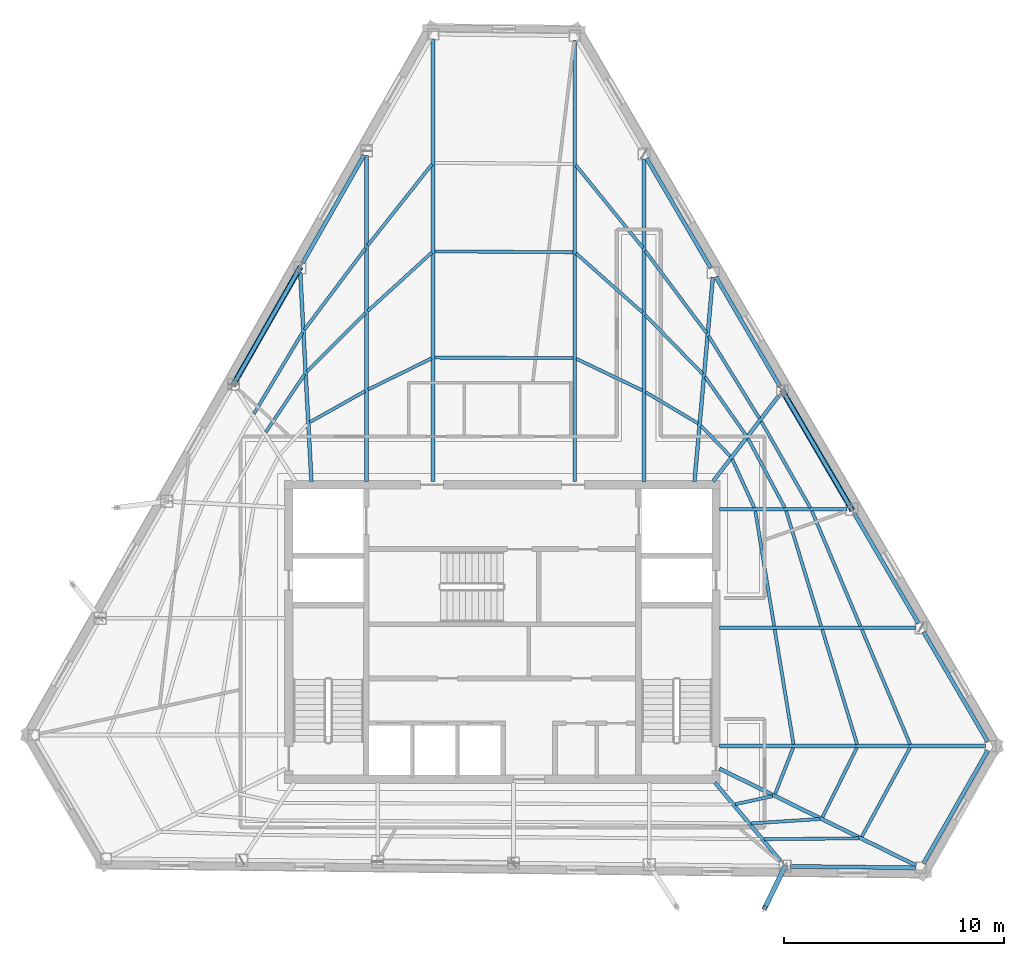
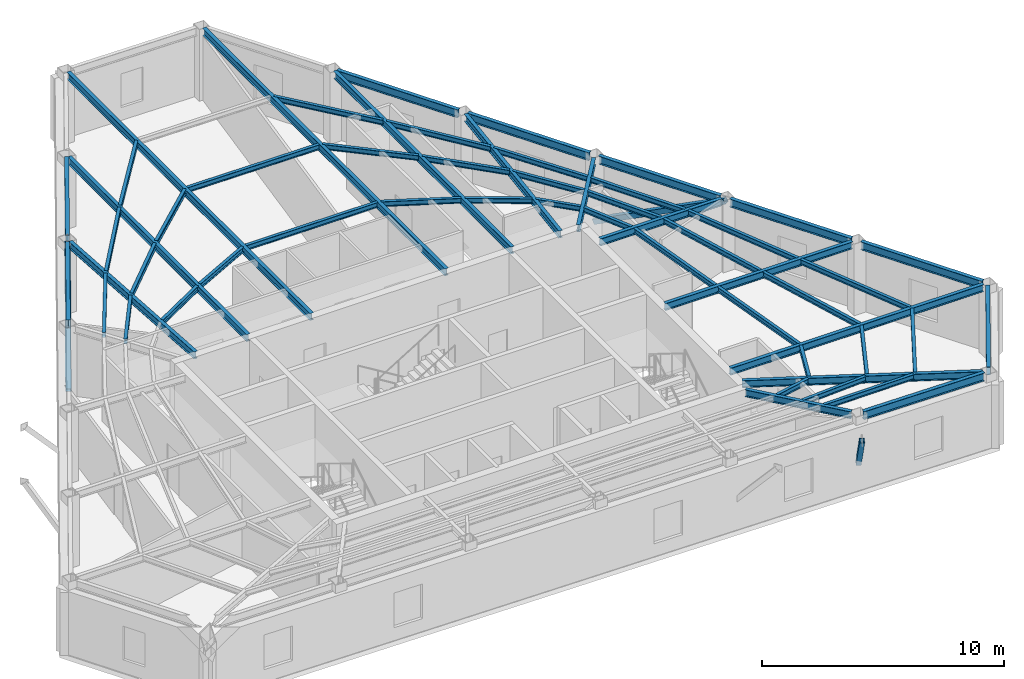
# One storey, part 2 of 11: 55 beams, 3 members.
"""IFC4 building model written with IfcOpenShell, lengths in metres."""

from ifc_helpers import new_model, si_unit, direction, frame, origin, origin_2d, place, context, subcontext, project, spatial, hollow_rectangle, i_section, extrude, material, material_profile, profile_set, type_object, element, save


model = new_model("IFC4")

# Units and contexts
model_context = context("Model", 3, precision=1e-05, world=origin(), true_north=direction((0.0, 1.0)))
body_context = subcontext(model_context, "Body", "Model", "MODEL_VIEW")
ifc_project = project(units=[si_unit("LENGTHUNIT", "METRE"), si_unit("AREAUNIT", "SQUARE_METRE"), si_unit("VOLUMEUNIT", "CUBIC_METRE"), si_unit("PLANEANGLEUNIT", "RADIAN"), si_unit("MASSUNIT", "GRAM", prefix="KILO")], contexts=[model_context])

# Site, building, storey
site_placement = place(None, origin())
site = spatial("IfcSite", under=ifc_project, at=site_placement, CompositionType="ELEMENT")
building_placement = place(site_placement, origin())
building = spatial("IfcBuilding", under=site, at=building_placement, Name="Kavelnor Concourse Tower", CompositionType="ELEMENT")
storey_placement = place(building_placement, frame((0.0, 0.0, 258.75)))
storey = spatial("IfcBuildingStorey", under=building, at=storey_placement, Name="L65", CompositionType="ELEMENT", Elevation=258.75)

# Beams
ifc_material = material(Name="Steel Grade 350", Category="steel")
ifc_material_profile_1 = material_profile(ifc_material, i_section(OverallWidth=0.14599609375, OverallDepth=0.256103515625, WebThickness=0.00634765625, FlangeThickness=0.010986328125, at=origin_2d()), Name="250UB37")
ifc_profile_set_1 = profile_set([ifc_material_profile_1], Name="Steel Grade 350")
beam_type_1 = type_object("IfcBeamType", Name="BM-JOIST-250", PredefinedType="JOIST", material=ifc_profile_set_1)
beam_1_placement = place(storey_placement, frame((48.584228515625, 8.26708984375, 3.48193359375), z_axis=(0.977091565739, 0.212819341606, 0.0), x_axis=(-0.212819341606, 0.977091565739, 0.0)))
element("IfcBeam", 1, at=beam_1_placement, inside=storey, type_object=beam_type_1, Name="L65 Secondary Composite Joist 07-1", PredefinedType="JOIST", context=body_context, shape_type="SweptSolid", body=[
    extrude(i_section(OverallWidth=0.14599609375, OverallDepth=0.256103515625, WebThickness=0.00634765625, FlangeThickness=0.010986328125, at=origin_2d()), origin(), (0.0, 0.0, 1.0), 1.74267578125),
])
beam_2_placement = place(storey_placement, frame((49.30419921875, 7.396728515625, 3.48193359375), z_axis=(0.998010196757, 0.063052733243, 0.0), x_axis=(-0.063052733243, 0.998010196757, 0.0)))
element("IfcBeam", 2, at=beam_2_placement, inside=storey, type_object=beam_type_1, Name="L65 Secondary Composite Joist 07-2", PredefinedType="JOIST", context=body_context, shape_type="SweptSolid", body=[
    extrude(i_section(OverallWidth=0.14599609375, OverallDepth=0.256103515625, WebThickness=0.00634765625, FlangeThickness=0.010986328125, at=origin_2d()), origin(), (0.0, 0.0, 1.0), 3.132568359375),
])
beam_3_placement = place(storey_placement, frame((49.903076171875, 6.67724609375, 3.48193359375), z_axis=(0.999954281384, 0.009562172441, 0.0), x_axis=(-0.009562172441, 0.999954281384, 0.0)))
element("IfcBeam", 3, at=beam_3_placement, inside=storey, type_object=beam_type_1, Name="L65 Secondary Composite Joist 07-3", PredefinedType="JOIST", context=body_context, shape_type="SweptSolid", body=[
    extrude(i_section(OverallWidth=0.14599609375, OverallDepth=0.256103515625, WebThickness=0.00634765625, FlangeThickness=0.010986328125, at=origin_2d()), origin(), (0.0, 0.0, 1.0), 4.31494140625),
])
beam_4_placement = place(storey_placement, frame((50.396728515625, 8.731689453125, 3.48193359375), z_axis=(0.363938496644, 0.931422981604, 0.0), x_axis=(-0.931422981604, 0.363938496644, 0.0)))
element("IfcBeam", 4, at=beam_4_placement, inside=storey, type_object=beam_type_1, Name="L65 Secondary Composite Joist 08-1", PredefinedType="JOIST", context=body_context, shape_type="SweptSolid", body=[
    extrude(i_section(OverallWidth=0.14599609375, OverallDepth=0.256103515625, WebThickness=0.00634765625, FlangeThickness=0.010986328125, at=origin_2d()), origin(), (0.0, 0.0, 1.0), 2.25732421875),
])
beam_5_placement = place(storey_placement, frame((52.548583984375, 7.6728515625, 3.48193359375), z_axis=(0.443753156488, 0.89614905909, 0.0), x_axis=(-0.89614905909, 0.443753156488, 0.0)))
element("IfcBeam", 5, at=beam_5_placement, inside=storey, type_object=beam_type_1, Name="L65 Secondary Composite Joist 08-2", PredefinedType="JOIST", context=body_context, shape_type="SweptSolid", body=[
    extrude(i_section(OverallWidth=0.14599609375, OverallDepth=0.256103515625, WebThickness=0.00634765625, FlangeThickness=0.010986328125, at=origin_2d()), origin(), (0.0, 0.0, 1.0), 3.531005859375),
])
beam_6_placement = place(storey_placement, frame((54.3388671875, 6.79150390625, 3.48193359375), z_axis=(0.476624814067, 0.879106811836, 0.0), x_axis=(-0.879106811836, 0.476624814067, 0.0)))
element("IfcBeam", 6, at=beam_6_placement, inside=storey, type_object=beam_type_1, Name="L65 Secondary Composite Joist 08-3", PredefinedType="JOIST", context=body_context, shape_type="SweptSolid", body=[
    extrude(i_section(OverallWidth=0.14599609375, OverallDepth=0.256103515625, WebThickness=0.00634765625, FlangeThickness=0.010986328125, at=origin_2d()), origin(), (0.0, 0.0, 1.0), 4.603515625),
])
beam_7_placement = place(storey_placement, frame((51.23486328125, 10.991455078125, 3.48193359375), z_axis=(-0.161600481046, 0.986856263356, 0.0), x_axis=(-0.986856263356, -0.161600481046, 0.0)))
element("IfcBeam", 7, at=beam_7_placement, inside=storey, type_object=beam_type_1, Name="L65 Secondary Composite Joist 09-1", PredefinedType="JOIST", context=body_context, shape_type="SweptSolid", body=[
    extrude(i_section(OverallWidth=0.14599609375, OverallDepth=0.256103515625, WebThickness=0.00634765625, FlangeThickness=0.010986328125, at=origin_2d()), origin(), (0.0, 0.0, 1.0), 5.292236328125),
])
beam_8_placement = place(storey_placement, frame((54.128173828125, 10.989013671875, 3.48193359375), z_axis=(-0.290941123025, 0.956740959159, 0.0), x_axis=(-0.956740959159, -0.290941123025, 0.0)))
element("IfcBeam", 8, at=beam_8_placement, inside=storey, type_object=beam_type_1, Name="L65 Secondary Composite Joist 09-2", PredefinedType="JOIST", context=body_context, shape_type="SweptSolid", body=[
    extrude(i_section(OverallWidth=0.14599609375, OverallDepth=0.256103515625, WebThickness=0.00634765625, FlangeThickness=0.010986328125, at=origin_2d()), origin(), (0.0, 0.0, 1.0), 5.463623046875),
])
beam_9_placement = place(storey_placement, frame((56.540283203125, 10.986083984375, 3.48193359375), z_axis=(-0.388047388956, 0.921639421859, 0.0), x_axis=(-0.921639421859, -0.388047388956, 0.0)))
element("IfcBeam", 9, at=beam_9_placement, inside=storey, type_object=beam_type_1, Name="L65 Secondary Composite Joist 09-3", PredefinedType="JOIST", context=body_context, shape_type="SweptSolid", body=[
    extrude(i_section(OverallWidth=0.14599609375, OverallDepth=0.256103515625, WebThickness=0.00634765625, FlangeThickness=0.010986328125, at=origin_2d()), origin(), (0.0, 0.0, 1.0), 5.677978515625),
])
beam_10_placement = place(storey_placement, frame((50.353271484375, 16.375732421875, 3.48193359375), z_axis=(-0.161607838348, 0.986855058549, 0.0), x_axis=(-0.986855058549, -0.161607838348, 0.0)))
element("IfcBeam", 10, at=beam_10_placement, inside=storey, type_object=beam_type_1, Name="L65 Secondary Composite Joist 10-1", PredefinedType="JOIST", context=body_context, shape_type="SweptSolid", body=[
    extrude(i_section(OverallWidth=0.14599609375, OverallDepth=0.256103515625, WebThickness=0.00634765625, FlangeThickness=0.010986328125, at=origin_2d()), origin(), (0.0, 0.0, 1.0), 5.2919921875),
])
beam_11_placement = place(storey_placement, frame((52.490966796875, 16.373291015625, 3.48193359375), z_axis=(-0.290941123025, 0.956740959159, 0.0), x_axis=(-0.956740959159, -0.290941123025, 0.0)))
element("IfcBeam", 11, at=beam_11_placement, inside=storey, type_object=beam_type_1, Name="L65 Secondary Composite Joist 10-2", PredefinedType="JOIST", context=body_context, shape_type="SweptSolid", body=[
    extrude(i_section(OverallWidth=0.14599609375, OverallDepth=0.256103515625, WebThickness=0.00634765625, FlangeThickness=0.010986328125, at=origin_2d()), origin(), (0.0, 0.0, 1.0), 5.463623046875),
])
beam_12_placement = place(storey_placement, frame((54.273193359375, 16.37060546875, 3.48193359375), z_axis=(-0.388062766928, 0.921632946961, 0.0), x_axis=(-0.921632946961, -0.388062766928, 0.0)))
element("IfcBeam", 12, at=beam_12_placement, inside=storey, type_object=beam_type_1, Name="L65 Secondary Composite Joist 10-3", PredefinedType="JOIST", context=body_context, shape_type="SweptSolid", body=[
    extrude(i_section(OverallWidth=0.14599609375, OverallDepth=0.256103515625, WebThickness=0.00634765625, FlangeThickness=0.010986328125, at=origin_2d()), origin(), (0.0, 0.0, 1.0), 5.677978515625),
])
beam_13_placement = place(storey_placement, frame((49.450927734375, 21.753662109375, 3.48193359375), z_axis=(-0.414106199902, 0.910228573053, 0.0), x_axis=(-0.910228573053, -0.414106199902, 0.0)))
element("IfcBeam", 13, at=beam_13_placement, inside=storey, type_object=beam_type_1, Name="L65 Secondary Composite Joist 11-1", PredefinedType="JOIST", context=body_context, shape_type="SweptSolid", body=[
    extrude(i_section(OverallWidth=0.14599609375, OverallDepth=0.256103515625, WebThickness=0.00634765625, FlangeThickness=0.010986328125, at=origin_2d()), origin(), (0.0, 0.0, 1.0), 2.426025390625),
])
beam_14_placement = place(storey_placement, frame((50.839111328125, 21.75146484375, 3.48193359375), z_axis=(-0.469495907621, 0.88293464805, 0.0), x_axis=(-0.88293464805, -0.469495907621, 0.0)))
element("IfcBeam", 14, at=beam_14_placement, inside=storey, type_object=beam_type_1, Name="L65 Secondary Composite Joist 11-2", PredefinedType="JOIST", context=body_context, shape_type="SweptSolid", body=[
    extrude(i_section(OverallWidth=0.14599609375, OverallDepth=0.256103515625, WebThickness=0.00634765625, FlangeThickness=0.010986328125, at=origin_2d()), origin(), (0.0, 0.0, 1.0), 3.5625),
])
beam_15_placement = place(storey_placement, frame((51.99755859375, 21.75048828125, 3.48193359375), z_axis=(-0.494455232513, 0.869203096543, 0.0), x_axis=(-0.869203096543, -0.494455232513, 0.0)))
element("IfcBeam", 15, at=beam_15_placement, inside=storey, type_object=beam_type_1, Name="L65 Secondary Composite Joist 11-3", PredefinedType="JOIST", context=body_context, shape_type="SweptSolid", body=[
    extrude(i_section(OverallWidth=0.14599609375, OverallDepth=0.256103515625, WebThickness=0.00634765625, FlangeThickness=0.010986328125, at=origin_2d()), origin(), (0.0, 0.0, 1.0), 4.515380859375),
])
beam_16_placement = place(storey_placement, frame((48.355712890625, 24.095703125, 3.48193359375), z_axis=(-0.693458712292, 0.720496366643, 0.0), x_axis=(-0.720496366643, -0.693458712292, 0.0)))
element("IfcBeam", 16, at=beam_16_placement, inside=storey, type_object=beam_type_1, Name="L65 Secondary Composite Joist 12-1", PredefinedType="JOIST", context=body_context, shape_type="SweptSolid", body=[
    extrude(i_section(OverallWidth=0.14599609375, OverallDepth=0.256103515625, WebThickness=0.00634765625, FlangeThickness=0.010986328125, at=origin_2d()), origin(), (0.0, 0.0, 1.0), 1.92333984375),
])
beam_17_placement = place(storey_placement, frame((49.0810546875, 25.03662109375, 3.48193359375), z_axis=(-0.573950476696, 0.818890011113, 0.0), x_axis=(-0.818890011113, -0.573950476696, 0.0)))
element("IfcBeam", 17, at=beam_17_placement, inside=storey, type_object=beam_type_1, Name="L65 Secondary Composite Joist 12-2", PredefinedType="JOIST", context=body_context, shape_type="SweptSolid", body=[
    extrude(i_section(OverallWidth=0.14599609375, OverallDepth=0.256103515625, WebThickness=0.00634765625, FlangeThickness=0.010986328125, at=origin_2d()), origin(), (0.0, 0.0, 1.0), 3.25537109375),
])
beam_18_placement = place(storey_placement, frame((49.681396484375, 25.81640625, 3.48193359375), z_axis=(-0.524745132544, 0.851259388125, 0.0), x_axis=(-0.851259388125, -0.524745132544, 0.0)))
element("IfcBeam", 18, at=beam_18_placement, inside=storey, type_object=beam_type_1, Name="L65 Secondary Composite Joist 12-3", PredefinedType="JOIST", context=body_context, shape_type="SweptSolid", body=[
    extrude(i_section(OverallWidth=0.14599609375, OverallDepth=0.256103515625, WebThickness=0.00634765625, FlangeThickness=0.010986328125, at=origin_2d()), origin(), (0.0, 0.0, 1.0), 4.394287109375),
])
beam_19_placement = place(storey_placement, frame((46.894775390625, 25.58251953125, 3.48193359375), z_axis=(-0.85885408237, 0.512220328761, 0.0), x_axis=(-0.512220328761, -0.85885408237, 0.0)))
element("IfcBeam", 19, at=beam_19_placement, inside=storey, type_object=beam_type_1, Name="L65 Secondary Composite Joist 13-1", PredefinedType="JOIST", context=body_context, shape_type="SweptSolid", body=[
    extrude(i_section(OverallWidth=0.14599609375, OverallDepth=0.256103515625, WebThickness=0.00634765625, FlangeThickness=0.010986328125, at=origin_2d()), origin(), (0.0, 0.0, 1.0), 2.779296875),
])
beam_20_placement = place(storey_placement, frame((47.1083984375, 27.828369140625, 3.48193359375), z_axis=(-0.697954751692, 0.71614186066, 0.0), x_axis=(-0.71614186066, -0.697954751692, 0.0)))
element("IfcBeam", 20, at=beam_20_placement, inside=storey, type_object=beam_type_1, Name="L65 Secondary Composite Joist 13-2", PredefinedType="JOIST", context=body_context, shape_type="SweptSolid", body=[
    extrude(i_section(OverallWidth=0.14599609375, OverallDepth=0.256103515625, WebThickness=0.00634765625, FlangeThickness=0.010986328125, at=origin_2d()), origin(), (0.0, 0.0, 1.0), 3.745361328125),
])
beam_21_placement = place(storey_placement, frame((47.283203125, 29.692626953125, 3.48193359375), z_axis=(-0.598335731467, 0.801245500736, 0.0), x_axis=(-0.801245500736, -0.598335731467, 0.0)))
element("IfcBeam", 21, at=beam_21_placement, inside=storey, type_object=beam_type_1, Name="L65 Secondary Composite Joist 13-3", PredefinedType="JOIST", context=body_context, shape_type="SweptSolid", body=[
    extrude(i_section(OverallWidth=0.14599609375, OverallDepth=0.256103515625, WebThickness=0.00634765625, FlangeThickness=0.010986328125, at=origin_2d()), origin(), (0.0, 0.0, 1.0), 4.67431640625),
])
beam_22_placement = place(storey_placement, frame((44.36328125, 27.08349609375, 3.48193359375), z_axis=(-0.901929200126, 0.431883917229, 0.0), x_axis=(-0.431883917229, -0.901929200126, 0.0)))
element("IfcBeam", 22, at=beam_22_placement, inside=storey, type_object=beam_type_1, Name="L65 Secondary Composite Joist 14-1", PredefinedType="JOIST", context=body_context, shape_type="SweptSolid", body=[
    extrude(i_section(OverallWidth=0.14599609375, OverallDepth=0.256103515625, WebThickness=0.00634765625, FlangeThickness=0.010986328125, at=origin_2d()), origin(), (0.0, 0.0, 1.0), 3.32666015625),
])
beam_23_placement = place(storey_placement, frame((44.3759765625, 30.623779296875, 3.48193359375), z_axis=(-0.747256282488, 0.664535964627, 0.0), x_axis=(-0.664535964627, -0.747256282488, 0.0)))
element("IfcBeam", 23, at=beam_23_placement, inside=storey, type_object=beam_type_1, Name="L65 Secondary Composite Joist 14-2", PredefinedType="JOIST", context=body_context, shape_type="SweptSolid", body=[
    extrude(i_section(OverallWidth=0.14599609375, OverallDepth=0.256103515625, WebThickness=0.00634765625, FlangeThickness=0.010986328125, at=origin_2d()), origin(), (0.0, 0.0, 1.0), 4.04931640625),
])
beam_24_placement = place(storey_placement, frame((44.385498046875, 33.5673828125, 3.48193359375), z_axis=(-0.630423247611, 0.776251588644, 0.0), x_axis=(-0.776251588644, -0.630423247611, 0.0)))
element("IfcBeam", 24, at=beam_24_placement, inside=storey, type_object=beam_type_1, Name="L65 Secondary Composite Joist 14-3", PredefinedType="JOIST", context=body_context, shape_type="SweptSolid", body=[
    extrude(i_section(OverallWidth=0.14599609375, OverallDepth=0.256103515625, WebThickness=0.00634765625, FlangeThickness=0.010986328125, at=origin_2d()), origin(), (0.0, 0.0, 1.0), 4.830078125),
])
for number, where, z_axis, x_axis, name in (
    (25, (41.206787109375, 28.555908203125, 3.48193359375), (-0.999995038677, 0.003150019372, 0.0), (-0.003150019372, -0.999995038677, 0.0), "L65 Secondary Composite Joist 15-1"),
    (26, (41.206787109375, 33.36962890625, 3.48193359375), (-0.999982986167, 0.0058332989, 0.0), (-0.0058332989, -0.999982986167, 0.0), "L65 Secondary Composite Joist 15-2"),
):
    element("IfcBeam", number, at=place(storey_placement, frame(where, z_axis=z_axis, x_axis=x_axis)), inside=storey, type_object=beam_type_1, Name=name, PredefinedType="JOIST", context=body_context, shape_type="SweptSolid", body=[
        extrude(i_section(OverallWidth=0.14599609375, OverallDepth=0.256103515625, WebThickness=0.00634765625, FlangeThickness=0.010986328125, at=origin_2d()), origin(), (0.0, 0.0, 1.0), 6.27783203125),
    ])
beam_25_placement = place(storey_placement, frame((34.773193359375, 28.539794921875, 3.48193359375), z_axis=(-0.897495151022, -0.44102432347, 0.0), x_axis=(0.44102432347, -0.897495151022, 0.0)))
element("IfcBeam", 27, at=beam_25_placement, inside=storey, type_object=beam_type_1, Name="L65 Secondary Composite Joist 16-1", PredefinedType="JOIST", context=body_context, shape_type="SweptSolid", body=[
    extrude(i_section(OverallWidth=0.14599609375, OverallDepth=0.256103515625, WebThickness=0.00634765625, FlangeThickness=0.010986328125, at=origin_2d()), origin(), (0.0, 0.0, 1.0), 3.20849609375),
])
beam_26_placement = place(storey_placement, frame((34.786376953125, 33.351318359375, 3.48193359375), z_axis=(-0.738672230038, -0.674064786627, 0.0), x_axis=(0.674064786627, -0.738672230038, 0.0)))
element("IfcBeam", 28, at=beam_26_placement, inside=storey, type_object=beam_type_1, Name="L65 Secondary Composite Joist 16-2", PredefinedType="JOIST", context=body_context, shape_type="SweptSolid", body=[
    extrude(i_section(OverallWidth=0.14599609375, OverallDepth=0.256103515625, WebThickness=0.00634765625, FlangeThickness=0.010986328125, at=origin_2d()), origin(), (0.0, 0.0, 1.0), 3.933837890625),
])
beam_27_placement = place(storey_placement, frame((34.7958984375, 37.367919921875, 3.48193359375), z_axis=(-0.62059945225, -0.78412774461, 0.0), x_axis=(0.78412774461, -0.62059945225, 0.0)))
element("IfcBeam", 29, at=beam_27_placement, inside=storey, type_object=beam_type_1, Name="L65 Secondary Composite Joist 16-3", PredefinedType="JOIST", context=body_context, shape_type="SweptSolid", body=[
    extrude(i_section(OverallWidth=0.14599609375, OverallDepth=0.256103515625, WebThickness=0.00634765625, FlangeThickness=0.010986328125, at=origin_2d()), origin(), (0.0, 0.0, 1.0), 4.71337890625),
])
beam_28_placement = place(storey_placement, frame((31.748291015625, 27.04833984375, 3.48193359375), z_axis=(-0.871936062537, -0.489619753327, 0.0), x_axis=(0.489619753327, -0.871936062537, 0.0)))
element("IfcBeam", 30, at=beam_28_placement, inside=storey, type_object=beam_type_1, Name="L65 Secondary Composite Joist 17-1", PredefinedType="JOIST", context=body_context, shape_type="SweptSolid", body=[
    extrude(i_section(OverallWidth=0.14599609375, OverallDepth=0.256103515625, WebThickness=0.00634765625, FlangeThickness=0.010986328125, at=origin_2d()), origin(), (0.0, 0.0, 1.0), 2.87353515625),
])
beam_29_placement = place(storey_placement, frame((31.76171875, 30.58642578125, 3.48193359375), z_axis=(-0.708245673026, -0.705966052045, 0.0), x_axis=(0.705966052045, -0.708245673026, 0.0)))
element("IfcBeam", 31, at=beam_29_placement, inside=storey, type_object=beam_type_1, Name="L65 Secondary Composite Joist 17-2", PredefinedType="JOIST", context=body_context, shape_type="SweptSolid", body=[
    extrude(i_section(OverallWidth=0.14599609375, OverallDepth=0.256103515625, WebThickness=0.00634765625, FlangeThickness=0.010986328125, at=origin_2d()), origin(), (0.0, 0.0, 1.0), 3.748291015625),
])
beam_30_placement = place(storey_placement, frame((31.770751953125, 33.5419921875, 3.48193359375), z_axis=(-0.600583300443, -0.799562192221, 0.0), x_axis=(0.799562192221, -0.600583300443, 0.0)))
element("IfcBeam", 32, at=beam_30_placement, inside=storey, type_object=beam_type_1, Name="L65 Secondary Composite Joist 17-3", PredefinedType="JOIST", context=body_context, shape_type="SweptSolid", body=[
    extrude(i_section(OverallWidth=0.14599609375, OverallDepth=0.256103515625, WebThickness=0.00634765625, FlangeThickness=0.010986328125, at=origin_2d()), origin(), (0.0, 0.0, 1.0), 4.61962890625),
])
beam_31_placement = place(storey_placement, frame((29.003173828125, 27.814208984375, 3.48193359375), z_axis=(-0.557581580535, -0.83012214827, 0.0), x_axis=(0.83012214827, -0.557581580535, 0.0)))
element("IfcBeam", 33, at=beam_31_placement, inside=storey, type_object=beam_type_1, Name="L65 Secondary Composite Joist 18-2", PredefinedType="JOIST", context=body_context, shape_type="SweptSolid", body=[
    extrude(i_section(OverallWidth=0.14599609375, OverallDepth=0.256103515625, WebThickness=0.00634765625, FlangeThickness=0.010986328125, at=origin_2d()), origin(), (0.0, 0.0, 1.0), 3.1640625),
])
beam_32_placement = place(storey_placement, frame((28.905029296875, 29.712646484375, 3.48193359375), z_axis=(-0.513132667829, -0.858309306257, 0.0), x_axis=(0.858309306257, -0.513132667829, 0.0)))
element("IfcBeam", 34, at=beam_32_placement, inside=storey, type_object=beam_type_1, Name="L65 Secondary Composite Joist 18-3", PredefinedType="JOIST", context=body_context, shape_type="SweptSolid", body=[
    extrude(i_section(OverallWidth=0.14599609375, OverallDepth=0.256103515625, WebThickness=0.00634765625, FlangeThickness=0.010986328125, at=origin_2d()), origin(), (0.0, 0.0, 1.0), 4.29541015625),
])
ifc_material_profile_2 = material_profile(ifc_material, i_section(OverallWidth=0.172119140625, OverallDepth=0.35888671875, WebThickness=0.008056640625, FlangeThickness=0.012939453125, at=origin_2d()), Name="360UB56")
ifc_profile_set_2 = profile_set([ifc_material_profile_2], Name="Steel Grade 350")
beam_type_2 = type_object("IfcBeamType", Name="BM-PRIMARY-360", PredefinedType="BEAM", material=ifc_profile_set_2)
beam_33_placement = place(storey_placement, frame((34.846923828125, 22.93994140625, 3.430419921875), z_axis=(0.0, 1.0, 0.0), x_axis=(-1.0, 0.0, 0.0)))
element("IfcBeam", 35, at=beam_33_placement, inside=storey, type_object=beam_type_2, Name="L65 Primary Floor Girder F0-B0", PredefinedType="BEAM", context=body_context, shape_type="SweptSolid", body=[
    extrude(i_section(OverallWidth=0.172119140625, OverallDepth=0.35888671875, WebThickness=0.008056640625, FlangeThickness=0.012939453125, at=origin_2d()), origin(), (0.0, 0.0, 1.0), 20.128173828125),
])
beam_34_placement = place(storey_placement, frame((31.81982421875, 22.93994140625, 3.430419921875), z_axis=(0.0, 1.0, 0.0), x_axis=(-1.0, 0.0, 0.0)))
element("IfcBeam", 36, at=beam_34_placement, inside=storey, type_object=beam_type_2, Name="L65 Primary Floor Girder F0-B1", PredefinedType="BEAM", context=body_context, shape_type="SweptSolid", body=[
    extrude(i_section(OverallWidth=0.172119140625, OverallDepth=0.35888671875, WebThickness=0.008056640625, FlangeThickness=0.012939453125, at=origin_2d()), origin(), (0.0, 0.0, 1.0), 14.816162109375),
])
beam_35_placement = place(storey_placement, frame((29.313720703125, 22.940185546875, 3.430419921875), z_axis=(-0.05348375925, 0.998568719466, 0.0), x_axis=(-0.998568719466, -0.05348375925, 0.0)))
element("IfcBeam", 37, at=beam_35_placement, inside=storey, type_object=beam_type_2, Name="L65 Primary Floor Girder F0-B2", PredefinedType="BEAM", context=body_context, shape_type="SweptSolid", body=[
    extrude(i_section(OverallWidth=0.172119140625, OverallDepth=0.35888671875, WebThickness=0.008056640625, FlangeThickness=0.012939453125, at=origin_2d()), origin(), (0.0, 0.0, 1.0), 9.517578125),
])
beam_36_placement = place(storey_placement, frame((47.666015625, 9.250732421875, 3.430419921875), z_axis=(0.641908021477, -0.766781645557, 0.0), x_axis=(0.766781645557, 0.641908021477, 0.0)))
element("IfcBeam", 38, at=beam_36_placement, inside=storey, type_object=beam_type_2, Name="L65 Primary Floor Girder F1-B5", PredefinedType="BEAM", context=body_context, shape_type="SweptSolid", body=[
    extrude(i_section(OverallWidth=0.172119140625, OverallDepth=0.35888671875, WebThickness=0.008056640625, FlangeThickness=0.012939453125, at=origin_2d()), origin(), (0.0, 0.0, 1.0), 4.662841796875),
])
beam_37_placement = place(storey_placement, frame((47.864013671875, 9.887451171875, 3.430419921875), z_axis=(0.897183971648, -0.441657017399, 0.0), x_axis=(0.441657017399, 0.897183971648, 0.0)))
element("IfcBeam", 39, at=beam_37_placement, inside=storey, type_object=beam_type_2, Name="L65 Primary Floor Girder F1-B6", PredefinedType="BEAM", context=body_context, shape_type="SweptSolid", body=[
    extrude(i_section(OverallWidth=0.172119140625, OverallDepth=0.35888671875, WebThickness=0.008056640625, FlangeThickness=0.012939453125, at=origin_2d()), origin(), (0.0, 0.0, 1.0), 9.962890625),
])
beam_38_placement = place(storey_placement, frame((47.860107421875, 10.91064453125, 3.430419921875), z_axis=(1.0, 0.0, 0.0), x_axis=(0.0, 1.0, 0.0)))
element("IfcBeam", 40, at=beam_38_placement, inside=storey, type_object=beam_type_2, Name="L65 Primary Floor Girder F2-B0", PredefinedType="BEAM", context=body_context, shape_type="SweptSolid", body=[
    extrude(i_section(OverallWidth=0.172119140625, OverallDepth=0.35888671875, WebThickness=0.008056640625, FlangeThickness=0.012939453125, at=origin_2d()), origin(), (0.0, 0.0, 1.0), 12.099853515625),
])
beam_39_placement = place(storey_placement, frame((47.860107421875, 16.294921875, 3.430419921875), z_axis=(1.0, 0.0, 0.0), x_axis=(0.0, 1.0, 0.0)))
element("IfcBeam", 41, at=beam_39_placement, inside=storey, type_object=beam_type_2, Name="L65 Primary Floor Girder F2-B1", PredefinedType="BEAM", context=body_context, shape_type="SweptSolid", body=[
    extrude(i_section(OverallWidth=0.172119140625, OverallDepth=0.35888671875, WebThickness=0.008056640625, FlangeThickness=0.012939453125, at=origin_2d()), origin(), (0.0, 0.0, 1.0), 8.951416015625),
])
beam_40_placement = place(storey_placement, frame((47.860107421875, 21.67919921875, 3.430419921875), z_axis=(1.0, 0.0, 0.0), x_axis=(0.0, 1.0, 0.0)))
element("IfcBeam", 42, at=beam_40_placement, inside=storey, type_object=beam_type_2, Name="L65 Primary Floor Girder F2-B2", PredefinedType="BEAM", context=body_context, shape_type="SweptSolid", body=[
    extrude(i_section(OverallWidth=0.172119140625, OverallDepth=0.35888671875, WebThickness=0.008056640625, FlangeThickness=0.012939453125, at=origin_2d()), origin(), (0.0, 0.0, 1.0), 5.802734375),
])
beam_41_placement = place(storey_placement, frame((47.57763671875, 22.9482421875, 3.430419921875), z_axis=(0.608672161295, 0.793421829839, 0.0), x_axis=(-0.793421829839, 0.608672161295, 0.0)))
element("IfcBeam", 43, at=beam_41_placement, inside=storey, type_object=beam_type_2, Name="L65 Primary Floor Girder F2-B3", PredefinedType="BEAM", context=body_context, shape_type="SweptSolid", body=[
    extrude(i_section(OverallWidth=0.172119140625, OverallDepth=0.35888671875, WebThickness=0.008056640625, FlangeThickness=0.012939453125, at=origin_2d()), origin(), (0.0, 0.0, 1.0), 4.898681640625),
])
beam_42_placement = place(storey_placement, frame((46.7314453125, 22.940185546875, 3.430419921875), z_axis=(0.089518226726, 0.995985184169, 0.0), x_axis=(-0.995985184169, 0.089518226726, 0.0)))
element("IfcBeam", 44, at=beam_42_placement, inside=storey, type_object=beam_type_2, Name="L65 Primary Floor Girder F2-B4", PredefinedType="BEAM", context=body_context, shape_type="SweptSolid", body=[
    extrude(i_section(OverallWidth=0.172119140625, OverallDepth=0.35888671875, WebThickness=0.008056640625, FlangeThickness=0.012939453125, at=origin_2d()), origin(), (0.0, 0.0, 1.0), 9.324462890625),
])
beam_43_placement = place(storey_placement, frame((44.437255859375, 22.93994140625, 3.430419921875), z_axis=(0.0, 1.0, 0.0), x_axis=(-1.0, 0.0, 0.0)))
element("IfcBeam", 45, at=beam_43_placement, inside=storey, type_object=beam_type_2, Name="L65 Primary Floor Girder F2-B5", PredefinedType="BEAM", context=body_context, shape_type="SweptSolid", body=[
    extrude(i_section(OverallWidth=0.172119140625, OverallDepth=0.35888671875, WebThickness=0.008056640625, FlangeThickness=0.012939453125, at=origin_2d()), origin(), (0.0, 0.0, 1.0), 14.671875),
])
beam_44_placement = place(storey_placement, frame((41.288818359375, 22.93994140625, 3.430419921875), z_axis=(0.0, 1.0, 0.0), x_axis=(-1.0, 0.0, 0.0)))
element("IfcBeam", 46, at=beam_44_placement, inside=storey, type_object=beam_type_2, Name="L65 Primary Floor Girder F2-B6", PredefinedType="BEAM", context=body_context, shape_type="SweptSolid", body=[
    extrude(i_section(OverallWidth=0.172119140625, OverallDepth=0.35888671875, WebThickness=0.008056640625, FlangeThickness=0.012939453125, at=origin_2d()), origin(), (0.0, 0.0, 1.0), 20.05615234375),
])
ifc_material_profile_3 = material_profile(ifc_material, i_section(OverallWidth=0.177978515625, OverallDepth=0.406005859375, WebThickness=0.0078125, FlangeThickness=0.0126953125, at=origin_2d()), Name="410UB59")
ifc_profile_set_3 = profile_set([ifc_material_profile_3], Name="Steel Grade 350")
beam_type_3 = type_object("IfcBeamType", Name="BM-SPANDREL-Z4", PredefinedType="SPANDREL", material=ifc_profile_set_3)
for number, where, z_axis, x_axis, name in (
    (47, (31.70849609375, 37.78076171875, 3.406982421875), (-0.495089497601, -0.868841981816, 0.0), (0.868841981816, -0.495089497601, 0.0), "L65 Perimeter Tube Spandrel Beam F0-B1"),
    (48, (28.681396484375, 32.46875, 3.406982421875), (-0.495089497601, -0.868841981816, 0.0), (0.868841981816, -0.495089497601, 0.0), "L65 Perimeter Tube Spandrel Beam F0-B2"),
):
    element("IfcBeam", number, at=place(storey_placement, frame(where, z_axis=z_axis, x_axis=x_axis)), inside=storey, type_object=beam_type_3, Name=name, PredefinedType="SPANDREL", context=body_context, shape_type="SweptSolid", body=[
        extrude(i_section(OverallWidth=0.177978515625, OverallDepth=0.406005859375, WebThickness=0.0078125, FlangeThickness=0.0126953125, at=origin_2d()), origin(), (0.0, 0.0, 1.0), 5.6640625),
    ])
beam_45_placement = place(storey_placement, frame((51.076171875, 5.443603515625, 3.406982421875), z_axis=(0.999937124599, -0.011213690251, 0.0), x_axis=(0.011213690251, 0.999937124599, 0.0)))
element("IfcBeam", 49, at=beam_45_placement, inside=storey, type_object=beam_type_3, Name="L65 Perimeter Tube Spandrel Beam F1-B5", PredefinedType="SPANDREL", context=body_context, shape_type="SweptSolid", body=[
    extrude(i_section(OverallWidth=0.177978515625, OverallDepth=0.406005859375, WebThickness=0.0078125, FlangeThickness=0.0126953125, at=origin_2d()), origin(), (0.0, 0.0, 1.0), 5.725830078125),
])
for number, where, z_axis, x_axis, name in (
    (50, (60.06640625, 11.104736328125, 3.406982421875), (-0.504791388124, 0.863241365133, 0.0), (-0.863241365133, -0.504791388124, 0.0), "L65 Perimeter Tube Spandrel Beam F2-B0"),
    (51, (56.91796875, 16.489013671875, 3.406982421875), (-0.504791388124, 0.863241365133, 0.0), (-0.863241365133, -0.504791388124, 0.0), "L65 Perimeter Tube Spandrel Beam F2-B1"),
    (52, (53.769287109375, 21.873291015625, 3.406982421875), (-0.504791388124, 0.863241365133, 0.0), (-0.863241365133, -0.504791388124, 0.0), "L65 Perimeter Tube Spandrel Beam F2-B2"),
    (53, (50.620849609375, 27.257568359375, 3.406982421875), (-0.504791388124, 0.863241365133, 0.0), (-0.863241365133, -0.504791388124, 0.0), "L65 Perimeter Tube Spandrel Beam F2-B3"),
    (54, (47.472412109375, 32.641845703125, 3.406982421875), (-0.50482282313, 0.863222982344, 0.0), (-0.863222982344, -0.50482282313, 0.0), "L65 Perimeter Tube Spandrel Beam F2-B4"),
):
    element("IfcBeam", number, at=place(storey_placement, frame(where, z_axis=z_axis, x_axis=x_axis)), inside=storey, type_object=beam_type_3, Name=name, PredefinedType="SPANDREL", context=body_context, shape_type="SweptSolid", body=[
        extrude(i_section(OverallWidth=0.177978515625, OverallDepth=0.406005859375, WebThickness=0.0078125, FlangeThickness=0.0126953125, at=origin_2d()), origin(), (0.0, 0.0, 1.0), 5.787353515625),
    ])
beam_46_placement = place(storey_placement, frame((57.13818359375, 5.572509765625, 3.406982421875), z_axis=(0.495094698717, 0.86883901806, 0.0), x_axis=(-0.86883901806, 0.495094698717, 0.0)))
element("IfcBeam", 55, at=beam_46_placement, inside=storey, type_object=beam_type_3, Name="L65 Chamfer Facet Spandrel Beam C2", PredefinedType="SPANDREL", context=body_context, shape_type="SweptSolid", body=[
    extrude(i_section(OverallWidth=0.177978515625, OverallDepth=0.406005859375, WebThickness=0.0078125, FlangeThickness=0.0126953125, at=origin_2d()), origin(), (0.0, 0.0, 1.0), 5.9189453125),
])

# Members
ifc_material_profile_4 = material_profile(ifc_material, hollow_rectangle(XDim=0.219970703125, YDim=0.219970703125, WallThickness=0.013916015625, at=origin_2d()), Name="SHS 220x220x14")
ifc_profile_set_4 = profile_set([ifc_material_profile_4], Name="Steel Grade 350")
member_type_1 = type_object("IfcMemberType", Name="MBR-BALC-STRUT-220", PredefinedType="STRUT", material=ifc_profile_set_4)
member_1_placement = place(storey_placement, frame((50.851318359375, 5.446044921875, 1.050048828125), z_axis=(-0.275187469566, -0.566176918728, 0.776991346988), x_axis=(0.899391226568, -0.437144623177, 0.0)))
element("IfcMember", 56, at=member_1_placement, inside=storey, type_object=member_type_1, Name="L65 Tree Balcony Raking Knee Strut 2-B", PredefinedType="STRUT", context=body_context, shape_type="SweptSolid", body=[
    extrude(hollow_rectangle(XDim=0.219970703125, YDim=0.219970703125, WallThickness=0.013916015625, at=origin_2d()), origin(), (0.0, 0.0, 1.0), 3.3525390625),
])
ifc_material_profile_5 = material_profile(ifc_material, hollow_rectangle(XDim=0.25, YDim=0.25, WallThickness=0.01611328125, at=origin_2d()), Name="SHS 250x250x16")
ifc_profile_set_5 = profile_set([ifc_material_profile_5], Name="Steel Grade 350")
member_type_2 = type_object("IfcMemberType", Name="MBR-TUBE-DIAG-Z4", PredefinedType="BRACE", material=ifc_profile_set_5)
member_2_placement = place(storey_placement, frame((25.765869140625, 27.352294921875, 0.219970703125), z_axis=(0.439042912164, 0.770440816425, 0.462236162221), x_axis=(-0.868829834203, 0.49511081507, 0.0)))
element("IfcMember", 57, at=member_2_placement, inside=storey, type_object=member_type_2, Name="L65 Framed-Tube Bracing Diagonal F0-B2", PredefinedType="BRACE", context=body_context, shape_type="SweptSolid", body=[
    extrude(hollow_rectangle(XDim=0.25, YDim=0.25, WallThickness=0.01611328125, at=origin_2d()), origin(), (0.0, 0.0, 1.0), 6.894775390625),
])
member_3_placement = place(storey_placement, frame((50.734375, 27.063232421875, 0.219970703125), z_axis=(0.449513045168, -0.768696586932, 0.455020416534), x_axis=(0.863237489048, 0.50479801654, 0.0)))
element("IfcMember", 58, at=member_3_placement, inside=storey, type_object=member_type_2, Name="L65 Framed-Tube Bracing Diagonal F2-B2", PredefinedType="BRACE", context=body_context, shape_type="SweptSolid", body=[
    extrude(hollow_rectangle(XDim=0.25, YDim=0.25, WallThickness=0.01611328125, at=origin_2d()), origin(), (0.0, 0.0, 1.0), 7.004150390625),
])

save(model, "model.ifc")
